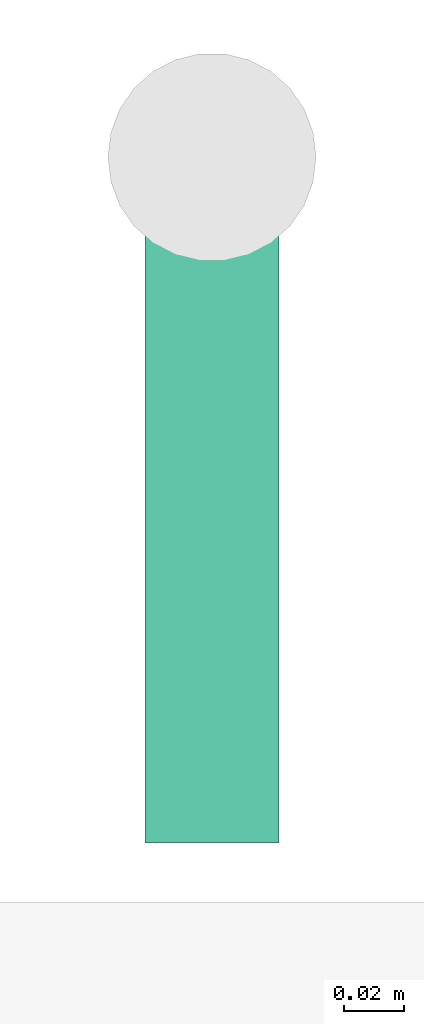
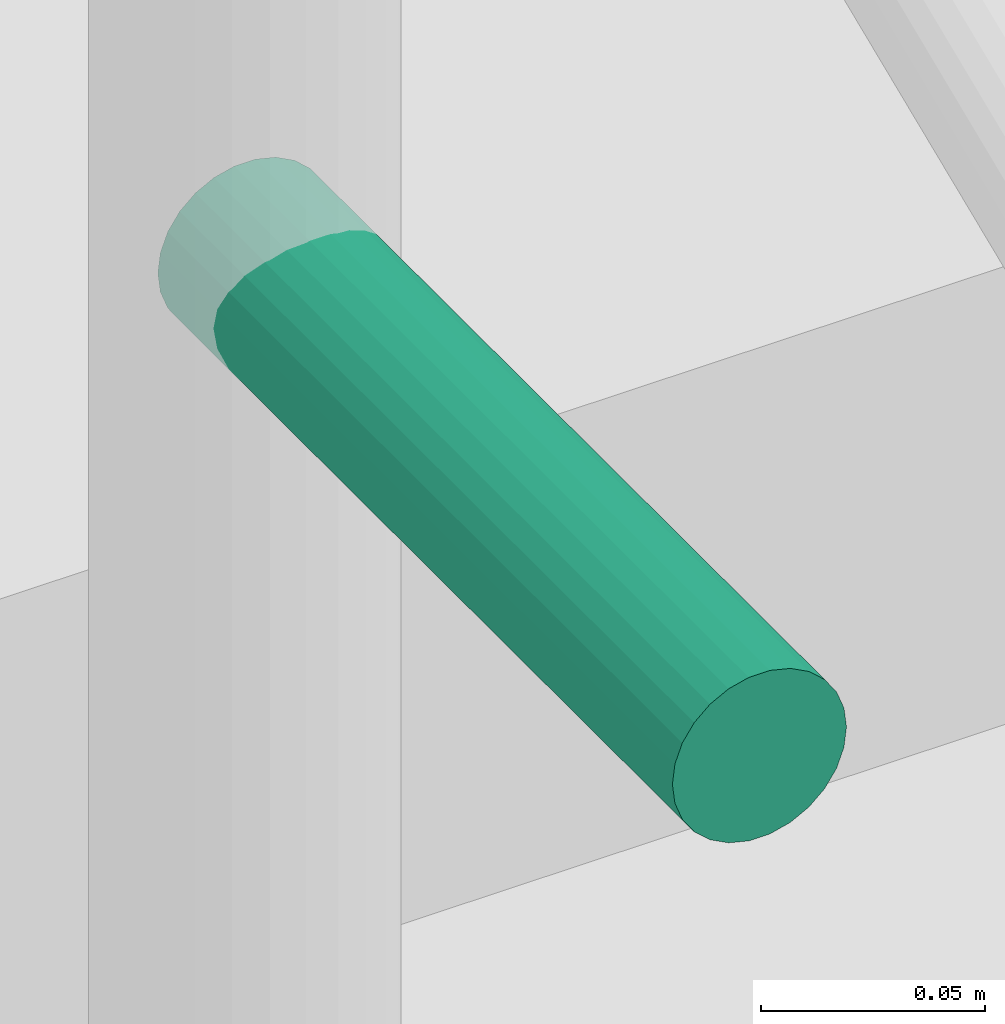
# One storey, part 29 of 31: 1 pipe fitting.
"""IFC4 building model written with IfcOpenShell, lengths in metres."""

import ifcopenshell
import ifcopenshell.guid

model = None  # the IFC model being written
_history = None  # IfcOwnerHistory: only IFC2X3 demands one
_inside = {}  # id of a spatial element -> (the spatial element, [elements in it])
_under = {}  # id of a project, library or spatial element -> (it, [spatial elements below it])
_declared = {}  # id of a project -> (the project, [libraries it declares])
_typed = {}  # id of a type object -> (the type object, [elements of that type])
_made_of = {}  # id of a material, layer set ... -> (it, [elements and type objects made of it])


def new_model(schema):
    """Start an empty IFC model of exactly this schema.

    Asked for "IFC4X3", IfcOpenShell would pick the latest addendum, in which some entities
    have other attributes; the version numbers below select the first issue.
    IFC2X3 requires an IfcOwnerHistory on every rooted entity: one is made here for all.
    """
    global model, _history
    if schema == "IFC4X3":
        model = ifcopenshell.file(schema_version=(4, 3, 0, 0))
    else:
        model = ifcopenshell.file(schema=schema)
    _inside.clear()
    _under.clear()
    _declared.clear()
    _typed.clear()
    _made_of.clear()
    _history = None
    if model.schema == "IFC2X3":
        org = make("IfcOrganization", Name="unknown")
        user = make(
            "IfcPersonAndOrganization",
            ThePerson=make("IfcPerson", FamilyName="unknown"),
            TheOrganization=org,
        )
        app = make(
            "IfcApplication",
            ApplicationDeveloper=org,
            Version="unknown",
            ApplicationFullName="unknown",
            ApplicationIdentifier="unknown",
        )
        _history = make(
            "IfcOwnerHistory",
            OwningUser=user,
            OwningApplication=app,
            ChangeAction="ADDED",
            CreationDate=0,
        )
    return model


def make(cls, **values):
    """One entity of the class cls with the attributes given. An attribute that is None is left unset."""
    return model.create_entity(
        cls, **{name: value for name, value in values.items() if value is not None}
    )


def rooted(cls, **values):
    """An entity with a GlobalId (a new one), such as an element, a storey or a relation."""
    return make(cls, GlobalId=ifcopenshell.guid.new(), OwnerHistory=_history, **values)


def si_unit(unit_type, name, prefix=None):
    """IfcSIUnit, for example si_unit("LENGTHUNIT", "METRE", prefix="MILLI")."""
    return make("IfcSIUnit", UnitType=unit_type, Prefix=prefix, Name=name)


def assignment(units):
    """IfcUnitAssignment: the units of a project."""
    return None if units is None else make("IfcUnitAssignment", Units=units)


def point(xyz):
    """IfcCartesianPoint."""
    return None if xyz is None else make("IfcCartesianPoint", Coordinates=xyz)


def direction(xyz):
    """IfcDirection."""
    return None if xyz is None else make("IfcDirection", DirectionRatios=xyz)


def frame(location, z_axis=None, x_axis=None):
    """IfcAxis2Placement3D, a coordinate frame: its origin and axes. An axis left out is left unset."""
    return make(
        "IfcAxis2Placement3D",
        Location=point(location),
        Axis=direction(z_axis),
        RefDirection=direction(x_axis),
    )


def frame_2d(location, x_axis=None):
    """IfcAxis2Placement2D, a coordinate frame in the plane: its origin and x axis."""
    return make(
        "IfcAxis2Placement2D", Location=point(location), RefDirection=direction(x_axis)
    )


def origin():
    """The frame at (0, 0, 0) with its axes left unset."""
    return frame((0.0, 0.0, 0.0))


def origin_2d():
    """The frame at (0, 0) in the plane with its x axis left unset."""
    return frame_2d((0.0, 0.0))


def place(relative_to, where):
    """IfcLocalPlacement: puts the frame where relative to a parent placement (None: the world)."""
    return make(
        "IfcLocalPlacement", PlacementRelTo=relative_to, RelativePlacement=where
    )


def context(
    kind, dimensions, precision=None, world=None, true_north=None, identifier=None
):
    """IfcGeometricRepresentationContext, for example the 3D "Model" context."""
    return make(
        "IfcGeometricRepresentationContext",
        ContextIdentifier=identifier,
        ContextType=kind,
        CoordinateSpaceDimension=dimensions,
        Precision=precision,
        WorldCoordinateSystem=world,
        TrueNorth=true_north,
    )


def subcontext(parent, identifier, kind, view, scale=None):
    """IfcGeometricRepresentationSubContext, for example "Body" below "Model"."""
    return make(
        "IfcGeometricRepresentationSubContext",
        ContextIdentifier=identifier,
        ContextType=kind,
        ParentContext=parent,
        TargetScale=scale,
        TargetView=view,
    )


def project(units=None, contexts=None):
    """IfcProject with its units and contexts."""
    return rooted(
        "IfcProject",
        Name="project",
        RepresentationContexts=contexts,
        UnitsInContext=assignment(units),
    )


def spatial(cls, under=None, at=None, **own):
    """A site, building, storey or space (cls), placed at a placement, below another one or the project."""
    s = rooted(cls, ObjectPlacement=at, **own)
    if under is not None:
        _under.setdefault(under.id(), (under, []))[1].append(s)
    return s


def profile(cls, at=None, kind="AREA", **sizes):
    """A parametric profile (cls). Its sizes go by their IFC names, for example OverallWidth=200.0."""
    return make(cls, ProfileType=kind, Position=at, **sizes)


def circle(**sizes):
    """IfcCircleProfileDef."""
    return profile("IfcCircleProfileDef", **sizes)


def extrude(swept, where, along, depth):
    """IfcExtrudedAreaSolid: the profile swept, set in the frame where, extruded along a direction by depth."""
    return make(
        "IfcExtrudedAreaSolid",
        SweptArea=swept,
        Position=where,
        ExtrudedDirection=direction(along),
        Depth=depth,
    )


def shape(context_of_items, identifier, shape_type, items):
    """IfcShapeRepresentation: the items that make up one representation, for example the "Body"."""
    return make(
        "IfcShapeRepresentation",
        ContextOfItems=context_of_items,
        RepresentationIdentifier=identifier,
        RepresentationType=shape_type,
        Items=items,
    )


def made_of(thing, what):
    """Note that an element or type object is made of a material, layer set ...; save() writes the relation."""
    if what is not None:
        _made_of.setdefault(what.id(), (what, []))[1].append(thing)
    return thing


def element(
    cls,
    number,
    at=None,
    inside=None,
    cuts=None,
    type_object=None,
    material=None,
    context=None,
    identifier="Body",
    shape_type=None,
    held_by="IfcProductDefinitionShape",
    body=None,
    shapes=None,
    **own,
):
    """One element of the class cls, such as IfcWall. Its Tag is "e" and its number.

    at: its placement. inside: the storey or other place that contains it. cuts: it is an
    opening in that element (IfcRelVoidsElement). A single representation is given by context,
    identifier, shape_type and body (its items); several are given by shapes. held_by: the class
    of the entity that holds the representations. save() writes the other relations.
    """
    e = rooted(cls, Tag="e%d" % number, ObjectPlacement=at, **own)
    if body is not None:
        shapes = [shape(context, identifier, shape_type, body)]
    if shapes is not None:
        e.Representation = make(held_by, Representations=shapes)
    if inside is not None:
        _inside.setdefault(inside.id(), (inside, []))[1].append(e)
    if cuts is not None:
        rooted(
            "IfcRelVoidsElement", RelatingBuildingElement=cuts, RelatedOpeningElement=e
        )
    if type_object is not None:
        _typed.setdefault(type_object.id(), (type_object, []))[1].append(e)
    return made_of(e, material)


def aggregate(whole, parts):
    """IfcRelAggregates: a whole, such as a stair, and the parts it consists of."""
    return rooted("IfcRelAggregates", RelatingObject=whole, RelatedObjects=parts)


def save(model, path):
    """Write the relations noted so far, then the file.

    IfcRelAggregates (storeys below a building ...), IfcRelContainedInSpatialStructure (elements
    in a storey), IfcRelDefinesByType, IfcRelAssociatesMaterial and IfcRelDeclares: one each for
    every whole, place, type object, material and project.
    """
    for whole, parts in _under.values():
        aggregate(whole, parts)
    for where, things in _inside.values():
        rooted(
            "IfcRelContainedInSpatialStructure",
            RelatedElements=things,
            RelatingStructure=where,
        )
    for kind, things in _typed.values():
        rooted("IfcRelDefinesByType", RelatedObjects=things, RelatingType=kind)
    for what, things in _made_of.values():
        rooted("IfcRelAssociatesMaterial", RelatedObjects=things, RelatingMaterial=what)
    for by, libraries in _declared.values():
        rooted("IfcRelDeclares", RelatingContext=by, RelatedDefinitions=libraries)
    model.write(path)


model = new_model("IFC4")

# Units and contexts
model_context = context("Model", 3, precision=1e-05, world=origin(), true_north=direction((0.0, 1.0)))
body_context = subcontext(model_context, "Body", "Model", "MODEL_VIEW")
ifc_project = project(units=[si_unit("LENGTHUNIT", "METRE"), si_unit("AREAUNIT", "SQUARE_METRE"), si_unit("VOLUMEUNIT", "CUBIC_METRE"), si_unit("PLANEANGLEUNIT", "RADIAN"), si_unit("MASSUNIT", "GRAM", prefix="KILO")], contexts=[model_context])

# Site, building, storey
site_placement = place(None, origin())
site = spatial("IfcSite", under=ifc_project, at=site_placement, CompositionType="ELEMENT")
building_placement = place(site_placement, origin())
building = spatial("IfcBuilding", under=site, at=building_placement, Name="Nzadi Deep Aquarium and Research Tower", CompositionType="ELEMENT")
storey_placement = place(building_placement, frame((0.0, 0.0, 21.699951171875)))
storey = spatial("IfcBuildingStorey", under=building, at=storey_placement, Name="L03", CompositionType="ELEMENT", Elevation=21.699951171875)

# Pipe fitting
pipe_fitting_placement = place(storey_placement, frame((55.300048828125, 68.9599609375, 1.10009765625), z_axis=(0.0, -1.0, 0.0), x_axis=(1.0, 0.0, 0.0)))
element("IfcPipeFitting", 1, at=pipe_fitting_placement, inside=storey, Name="Dry riser outlet ST-Z2-E L03", PredefinedType="EXIT", context=body_context, shape_type="SweptSolid", body=[
    extrude(circle(Radius=0.0224609375, at=origin_2d()), origin(), (0.0, 0.0, 1.0), 0.22998046875),
])

save(model, "model.ifc")
